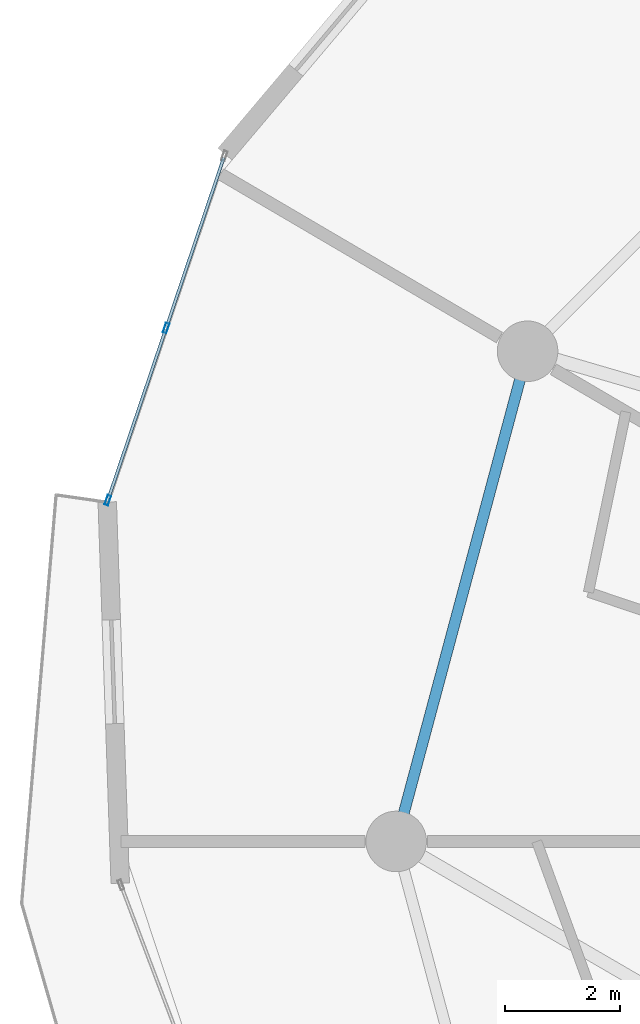
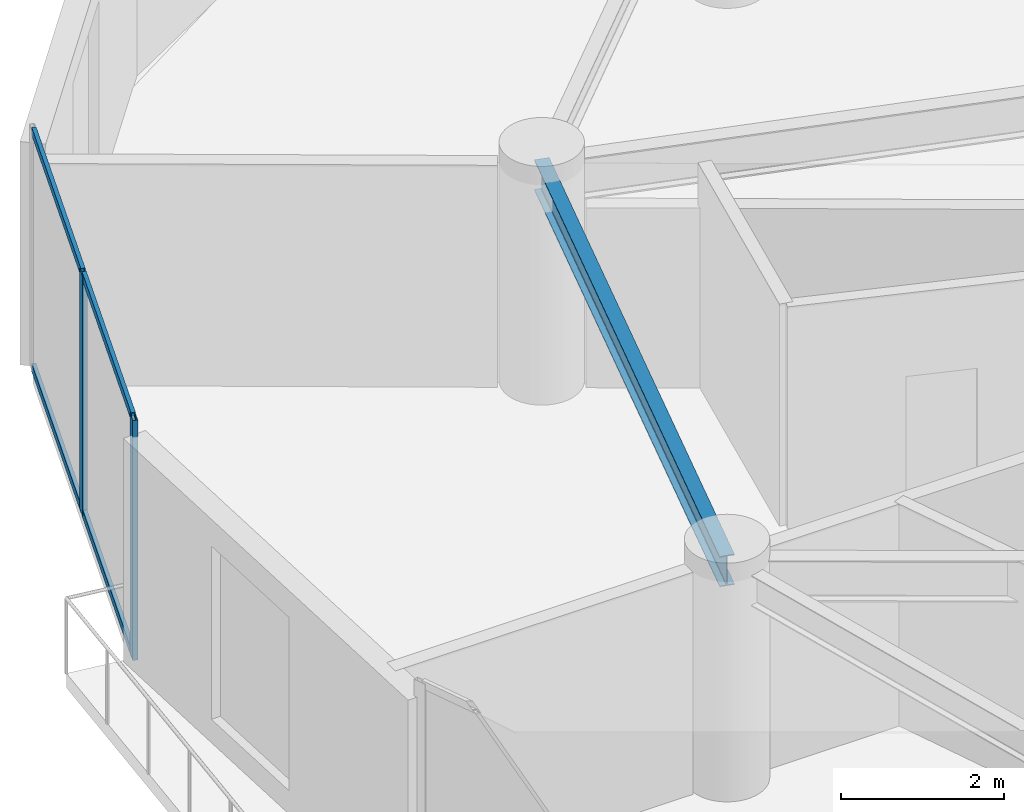
# One storey, part 8 of 25: 6 members, 1 beam, 1 element without a shape of its own.
"""IFC4 building model written with IfcOpenShell, lengths in metres."""

from ifc_helpers import new_model, si_unit, direction, frame, origin, origin_2d, place, context, subcontext, project, spatial, hollow_rectangle, i_section, extrude, source, transform, mapped, material, layer, layer_set, material_profile, profile_set, type_object, element, aggregate, save


model = new_model("IFC4")

# Units and contexts
model_context = context("Model", 3, precision=1e-05, world=origin(), true_north=direction((0.0, 1.0)))
body_context = subcontext(model_context, "Body", "Model", "MODEL_VIEW")
ifc_project = project(units=[si_unit("LENGTHUNIT", "METRE"), si_unit("AREAUNIT", "SQUARE_METRE"), si_unit("VOLUMEUNIT", "CUBIC_METRE"), si_unit("PLANEANGLEUNIT", "RADIAN"), si_unit("MASSUNIT", "GRAM", prefix="KILO")], contexts=[model_context])

# Site, building, storey
site_placement = place(None, origin())
site = spatial("IfcSite", under=ifc_project, at=site_placement, CompositionType="ELEMENT")
building_placement = place(site_placement, origin())
building = spatial("IfcBuilding", under=site, at=building_placement, Name="Solvirekh Grand Hotel", CompositionType="ELEMENT")
storey_placement = place(building_placement, frame((0.0, 0.0, 106.199951171875)))
storey = spatial("IfcBuildingStorey", under=building, at=storey_placement, Name="L26", CompositionType="ELEMENT", Elevation=106.199951171875)

# Beam
ifc_material_1 = material(Name="Steel S355", Category="steel")
ifc_material_profile_1 = material_profile(ifc_material_1, i_section(OverallWidth=0.18994140625, OverallDepth=0.45703125, WebThickness=0.009033203125, FlangeThickness=0.013916015625, FilletRadius=0.012939453125, at=origin_2d()), Name="W460X74")
ifc_profile_set_1 = profile_set([ifc_material_profile_1], Name="Steel S355")
beam_type = type_object("IfcBeamType", Name="Spandrel_Ring_W460", PredefinedType="SPANDREL", material=ifc_profile_set_1)
beam_placement = place(storey_placement, frame((-14.721923828125, 8.5, 3.1220703125), z_axis=(-0.258872908946, -0.965911391906, 0.0), x_axis=(0.965911391906, -0.258872908946, 0.0)))
element("IfcBeam", 1, at=beam_placement, inside=storey, type_object=beam_type, Name="L26 perimeter spandrel beam 6", PredefinedType="SPANDREL", context=body_context, shape_type="SweptSolid", body=[
    extrude(i_section(OverallWidth=0.18994140625, OverallDepth=0.45703125, WebThickness=0.009033203125, FlangeThickness=0.013916015625, FilletRadius=0.012939453125, at=origin_2d()), origin(), (0.0, 0.0, 1.0), 8.800048828125),
])

# Curtain wall, members
ifc_material_2 = material(Name="Anodized Bronze Aluminium 6063-T6", Category="aluminium")
ifc_layer = layer(ifc_material_2, 0.175048828125)
ifc_layer_set = layer_set([ifc_layer], Name="Anodized Bronze Aluminium 6063-T6")
curtain_wall_type = type_object("IfcCurtainWallType", Name="CW_Sys3_MidZoneFlushBronzeCW", PredefinedType="NOTDEFINED", material=ifc_layer_set)
curtain_wall_placement = place(storey_placement, origin())
curtain_wall = element("IfcCurtainWall", 2, at=curtain_wall_placement, inside=storey, type_object=curtain_wall_type, Name="L26 unitised bronze-glass curtain wall CW-L26-C11", PredefinedType="NOTDEFINED")
ifc_material_profile_2 = material_profile(ifc_material_2, hollow_rectangle(XDim=0.054931640625, YDim=0.1201171875, WallThickness=0.00390625, at=origin_2d()), Name="ALU RHS 120X55X4")
ifc_profile_set_2 = profile_set([ifc_material_profile_2], Name="Anodized Bronze Aluminium 6063-T6")
member_type_1 = type_object("IfcMemberType", Name="CWTransom_Sys3", PredefinedType="USERDEFINED", material=ifc_profile_set_2)
shared_shape_1 = source(origin(), body_context, "Body", "SweptSolid", [
    extrude(hollow_rectangle(XDim=0.054931640625, YDim=0.1201171875, WallThickness=0.00390625, at=origin_2d()), origin(), (0.0, 0.0, 1.0), 3.087158203125),
])
member_1_placement = place(storey_placement, frame((-19.98974609375, 11.857421875, 0.027587890625), z_axis=(-0.320613640642, -0.947210057714, 0.0), x_axis=(0.947210057714, -0.320613640642, 0.0)))
member_1 = element("IfcMember", 3, at=member_1_placement, type_object=member_type_1, Name="U03 transom 1.1", ObjectType="TRANSOM", PredefinedType="USERDEFINED", context=body_context, shape_type="MappedRepresentation", body=[
    mapped(shared_shape_1, transform((0.0, 0.0, 0.0), x_axis=(1.0, 0.0, 0.0), y_axis=(0.0, 1.0, 0.0), z_axis=(0.0, 0.0, 1.0), scale=1.0)),
])
member_2_placement = place(storey_placement, frame((-19.98974609375, 11.857421875, 3.572509765625), z_axis=(-0.320613640642, -0.947210057714, 0.0), x_axis=(0.947210057714, -0.320613640642, 0.0)))
member_2 = element("IfcMember", 4, at=member_2_placement, type_object=member_type_1, Name="U03 transom 1.2", ObjectType="TRANSOM", PredefinedType="USERDEFINED", context=body_context, shape_type="MappedRepresentation", body=[
    mapped(shared_shape_1, transform((0.0, 0.0, 0.0), x_axis=(1.0, 0.0, 0.0), y_axis=(0.0, 1.0, 0.0), z_axis=(0.0, 0.0, 1.0), scale=1.0)),
])
member_3_placement = place(storey_placement, frame((-21.00048828125, 8.871826171875, 0.027587890625), z_axis=(-0.320589624907, -0.947218186271, 0.0), x_axis=(0.947218186271, -0.320589624907, 0.0)))
member_3 = element("IfcMember", 5, at=member_3_placement, type_object=member_type_1, Name="U03 transom 2.1", ObjectType="TRANSOM", PredefinedType="USERDEFINED", context=body_context, shape_type="MappedRepresentation", body=[
    mapped(shared_shape_1, transform((0.0, 0.0, 0.0), x_axis=(1.0, 0.0, 0.0), y_axis=(0.0, 1.0, 0.0), z_axis=(0.0, 0.0, 1.0), scale=1.0)),
])
member_4_placement = place(storey_placement, frame((-21.00048828125, 8.871826171875, 3.572509765625), z_axis=(-0.320589624907, -0.947218186271, 0.0), x_axis=(0.947218186271, -0.320589624907, 0.0)))
member_4 = element("IfcMember", 6, at=member_4_placement, type_object=member_type_1, Name="U03 transom 2.2", ObjectType="TRANSOM", PredefinedType="USERDEFINED", context=body_context, shape_type="MappedRepresentation", body=[
    mapped(shared_shape_1, transform((0.0, 0.0, 0.0), x_axis=(1.0, 0.0, 0.0), y_axis=(0.0, 1.0, 0.0), z_axis=(0.0, 0.0, 1.0), scale=1.0)),
])
ifc_material_profile_3 = material_profile(ifc_material_2, hollow_rectangle(XDim=0.06494140625, YDim=0.175048828125, WallThickness=0.0048828125, at=origin_2d()), Name="ALU RHS 175X65X5")
ifc_profile_set_3 = profile_set([ifc_material_profile_3], Name="Anodized Bronze Aluminium 6063-T6")
member_type_2 = type_object("IfcMemberType", Name="CWMullion_Sys3", PredefinedType="MULLION", material=ifc_profile_set_3)
shared_shape_2 = source(origin(), body_context, "Body", "SweptSolid", [
    extrude(hollow_rectangle(XDim=0.06494140625, YDim=0.175048828125, WallThickness=0.0048828125, at=origin_2d()), origin(), (0.0, 0.0, 1.0), 3.60009765625),
])
member_5_placement = place(storey_placement, frame((-20.989990234375, 8.902587890625, 0.0), z_axis=(0.0, 0.0, 1.0), x_axis=(0.947213035477, -0.320604843106, 0.0)))
member_5 = element("IfcMember", 7, at=member_5_placement, type_object=member_type_2, Name="U03 mullion 2", PredefinedType="MULLION", context=body_context, shape_type="MappedRepresentation", body=[
    mapped(shared_shape_2, transform((0.0, 0.0, 0.0), x_axis=(1.0, 0.0, 0.0), y_axis=(0.0, 1.0, 0.0), z_axis=(0.0, 0.0, 1.0), scale=1.0)),
])
member_6_placement = place(storey_placement, frame((-22.00048828125, 5.916748046875, 0.0), z_axis=(0.0, 0.0, 1.0), x_axis=(0.947213035477, -0.320604843106, 0.0)))
member_6 = element("IfcMember", 8, at=member_6_placement, type_object=member_type_2, Name="U03 mullion 3", PredefinedType="MULLION", context=body_context, shape_type="MappedRepresentation", body=[
    mapped(shared_shape_2, transform((0.0, 0.0, 0.0), x_axis=(1.0, 0.0, 0.0), y_axis=(0.0, 1.0, 0.0), z_axis=(0.0, 0.0, 1.0), scale=1.0)),
])
aggregate(curtain_wall, [member_5, member_6, member_1, member_2, member_3, member_4])

save(model, "model.ifc")
